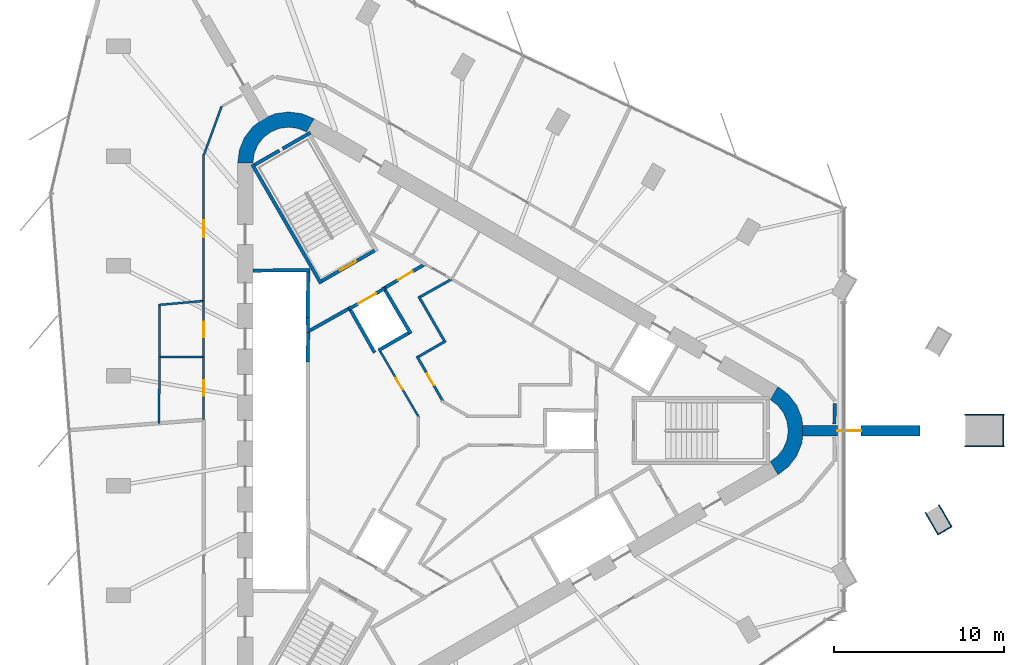
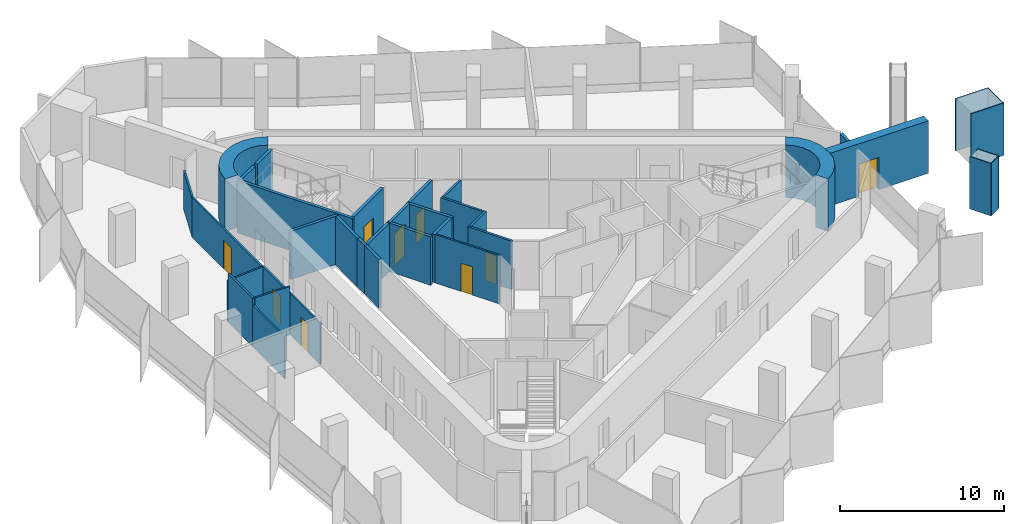
# One storey, part 9 of 12: 37 walls, 9 doors, 9 openings.
"""IFC4 building model written with IfcOpenShell, lengths in metres."""

from ifc_helpers import new_model, si_unit, direction, frame, frame_2d, origin, place, context, subcontext, project, spatial, polyline, rectangle, outline, extrude, material, layer, layer_set, type_object, element, fill, save


model = new_model("IFC4")

# Units and contexts
model_context = context("Model", 3, precision=1e-05, world=origin(), true_north=direction((0.0, 1.0)))
body_context = subcontext(model_context, "Body", "Model", "MODEL_VIEW")
ifc_project = project(units=[si_unit("LENGTHUNIT", "METRE"), si_unit("AREAUNIT", "SQUARE_METRE"), si_unit("VOLUMEUNIT", "CUBIC_METRE"), si_unit("PLANEANGLEUNIT", "RADIAN"), si_unit("MASSUNIT", "GRAM", prefix="KILO")], contexts=[model_context])

# Site, building, storey
site_placement = place(None, origin())
site = spatial("IfcSite", under=ifc_project, at=site_placement, CompositionType="ELEMENT")
building_placement = place(site_placement, origin())
building = spatial("IfcBuilding", under=site, at=building_placement, Name="Tanit Gate Tower", CompositionType="ELEMENT")
storey_placement = place(building_placement, frame((0.0, 0.0, 372.800048828125)))
storey = spatial("IfcBuildingStorey", under=building, at=storey_placement, Name="L85", CompositionType="ELEMENT", Elevation=372.800048828125)

# Wall, opening, door
ifc_material_1 = material(Name="Concrete C40/50", Category="concrete")
ifc_layer_1 = layer(ifc_material_1, 0.60009765625)
ifc_layer_set_1 = layer_set([ifc_layer_1], Name="BUTTRESS FIN 600 C40/50")
wall_type_1 = type_object("IfcWallType", Name="BUTTRESS FIN 600 C40/50", PredefinedType="SHEAR", material=ifc_layer_set_1)
wall_1_placement = place(storey_placement, frame((21.14990234375, 0.0, 0.0), z_axis=(0.0, 0.0, 1.0), x_axis=(1.0, 0.0, 0.0)))
wall_1 = element("IfcWall", 1, at=wall_1_placement, inside=storey, type_object=wall_type_1, Name="BUTTRESS FIN", PredefinedType="SHEAR", context=body_context, shape_type="SweptSolid", body=[
    extrude(rectangle(XDim=6.92138671875, YDim=0.60009765625, at=frame_2d((3.460693359375, 0.0))), origin(), (0.0, 0.0, 1.0), 3.89990234375),
])
opening_1_placement = place(wall_1_placement, frame((2.050048828125, 0.0, 0.0)))
opening_1 = element("IfcOpeningElement", 2, at=opening_1_placement, cuts=wall_1, Name="Opening P14-85-F-E-1", PredefinedType="OPENING", context=body_context, shape_type="SweptSolid", body=[
    extrude(rectangle(XDim=1.39990234375, YDim=2.39990234375, at=frame_2d((0.699951171875, 1.199951171875))), frame((0.0, 0.31005859375, 0.0), z_axis=(0.0, -1.0, 0.0), x_axis=(1.0, 0.0, 0.0)), (0.0, 0.0, 1.0), 0.6201171875),
])
ifc_material_2 = material(Name="Timber door leaf", Category="wood")
door_type_1 = type_object("IfcDoorType", Name="INT-DOOR-FIN-PAIR-1400", OperationType="NOTDEFINED", PredefinedType="NOTDEFINED", material=ifc_material_2)
door_1_placement = place(opening_1_placement, origin())
door_1 = element("IfcDoor", 3, at=door_1_placement, inside=storey, type_object=door_type_1, Name="Door P14-85-F-E-1", OperationType="DOUBLE_DOOR_SINGLE_SWING", OverallHeight=2.39990234375, OverallWidth=1.39990234375, PredefinedType="NOTDEFINED", context=body_context, shape_type="SweptSolid", body=[
    extrude(rectangle(XDim=1.39990234375, YDim=2.39990234375, at=frame_2d((0.699951171875, 1.199951171875))), frame((0.0, 0.02490234375, 0.0), z_axis=(0.0, -1.0, 0.0), x_axis=(1.0, 0.0, 0.0)), (0.0, 0.0, 1.0), 0.050048828125),
])
fill(opening_1, door_1)

# Walls
ifc_material_3 = material(Name="Concrete C40/50", Category="concrete")
ifc_layer_2 = layer(ifc_material_3, 0.89990234375)
ifc_layer_set_2 = layer_set([ifc_layer_2], Name="CORE WALL 900 C40/50")
wall_type_2 = type_object("IfcWallType", Name="CORE WALL 900 C40/50", PredefinedType="SHEAR", material=ifc_layer_set_2)
wall_2_placement = place(storey_placement, origin())
element("IfcWall", 4, at=wall_2_placement, inside=storey, type_object=wall_type_2, Name="CORE WALL CORNER", PredefinedType="SHEAR", context=body_context, shape_type="SweptSolid", body=[
    extrude(outline(polyline([(-7.60009765625, 18.359619140625), (-8.323486328125, 18.659423828125), (-9.10009765625, 18.76171875), (-9.87646484375, 18.659423828125), (-10.60009765625, 18.359619140625), (-11.22119140625, 17.883056640625), (-11.697998046875, 17.26171875), (-11.997802734375, 16.5380859375), (-12.10009765625, 15.76171875), (-11.199951171875, 15.76171875), (-11.12841796875, 16.30517578125), (-10.918701171875, 16.811767578125), (-10.5849609375, 17.24658203125), (-10.14990234375, 17.580322265625), (-9.6435546875, 17.7900390625), (-9.10009765625, 17.86181640625), (-8.556396484375, 17.7900390625), (-8.050048828125, 17.580322265625), (-7.60009765625, 18.359619140625)])), origin(), (0.0, 0.0, 1.0), 3.89990234375),
])
wall_3_placement = place(storey_placement, origin())
element("IfcWall", 5, at=wall_3_placement, inside=storey, type_object=wall_type_2, Name="CORE WALL CORNER", PredefinedType="SHEAR", context=body_context, shape_type="SweptSolid", body=[
    extrude(outline(polyline([(19.699951171875, -2.59814453125), (20.3212890625, -2.121337890625), (20.798095703125, -1.5), (21.097900390625, -0.776611328125), (21.199951171875, 0.0), (21.097900390625, 0.776611328125), (20.798095703125, 1.5), (20.3212890625, 2.121337890625), (19.699951171875, 2.59814453125), (19.25, 1.818603515625), (19.684814453125, 1.48486328125), (20.018798828125, 1.050048828125), (20.228515625, 0.54345703125), (20.300048828125, 0.0), (20.228515625, -0.54345703125), (20.018798828125, -1.050048828125), (19.684814453125, -1.48486328125), (19.25, -1.818603515625), (19.699951171875, -2.59814453125)])), origin(), (0.0, 0.0, 1.0), 3.89990234375),
])
ifc_material_4 = material(Name="Bronze anodised aluminium cladding", Category="aluminium")
ifc_layer_3 = layer(ifc_material_4, 0.06005859375)
ifc_layer_set_3 = layer_set([ifc_layer_3], Name="Column casing bronze 60")
wall_type_3 = type_object("IfcWallType", Name="Column casing bronze 60", PredefinedType="SOLIDWALL", material=ifc_layer_set_3)
for number, where, z_axis, x_axis, name in (
    (6, (30.68359375, 0.929931640625, 0.0), (0.0, 0.0, 1.0), (1.0, 0.0, 0.0), "Column casing L85 M-E.L1"),
    (7, (30.68359375, -0.929931640625, 0.0), (0.0, 0.0, 1.0), (1.0, 0.0, 0.0), "Column casing L85 M-E.L2"),
):
    element("IfcWall", number, at=place(storey_placement, frame(where, z_axis=z_axis, x_axis=x_axis)), inside=storey, type_object=wall_type_3, Name=name, PredefinedType="SOLIDWALL", context=body_context, shape_type="SweptSolid", body=[
        extrude(rectangle(XDim=2.320068359375, YDim=0.06005859375, at=frame_2d((1.16015625, 0.0))), origin(), (0.0, 0.0, 1.0), 3.89990234375),
    ])
wall_4_placement = place(storey_placement, frame((32.9736328125, -0.89990234375, 0.0), z_axis=(0.0, 0.0, 1.0), x_axis=(0.0, 1.0, 0.0)))
element("IfcWall", 8, at=wall_4_placement, inside=storey, type_object=wall_type_3, Name="Column casing L85 M-E.S1", PredefinedType="SOLIDWALL", context=body_context, shape_type="SweptSolid", body=[
    extrude(rectangle(XDim=1.7998046875, YDim=0.06005859375, at=frame_2d((0.89990234375, 0.0))), origin(), (0.0, 0.0, 1.0), 3.89990234375),
])
wall_5_placement = place(storey_placement, frame((29.16650390625, -4.36083984375, 0.0), z_axis=(0.0, 0.0, 1.0), x_axis=(0.499991248344, -0.866030456496, 0.0)))
element("IfcWall", 9, at=wall_5_placement, inside=storey, type_object=wall_type_3, Name="Column casing L85 P-SE8.L1", PredefinedType="SOLIDWALL", context=body_context, shape_type="SweptSolid", body=[
    extrude(rectangle(XDim=1.52001953125, YDim=0.06005859375, at=frame_2d((0.760009765625, 0.0))), origin(), (0.0, 0.0, 1.0), 3.89990234375),
])
wall_6_placement = place(storey_placement, frame((28.378662109375, -4.81591796875, 0.0), z_axis=(0.0, 0.0, 1.0), x_axis=(0.500060803479, -0.865990296034, 0.0)))
element("IfcWall", 10, at=wall_6_placement, inside=storey, type_object=wall_type_3, Name="Column casing L85 P-SE8.L2", PredefinedType="SOLIDWALL", context=body_context, shape_type="SweptSolid", body=[
    extrude(rectangle(XDim=1.519775390625, YDim=0.06005859375, at=frame_2d((0.759765625, 0.0))), origin(), (0.0, 0.0, 1.0), 3.89990234375),
])
wall_7_placement = place(storey_placement, frame((29.1494140625, -6.09130859375, 0.0), z_axis=(0.0, 0.0, 1.0), x_axis=(0.866061263272, 0.499937884402, 0.0)))
element("IfcWall", 11, at=wall_7_placement, inside=storey, type_object=wall_type_3, Name="Column casing L85 P-SE8.S1", PredefinedType="SOLIDWALL", context=body_context, shape_type="SweptSolid", body=[
    extrude(rectangle(XDim=0.85009765625, YDim=0.06005859375, at=frame_2d((0.425048828125, 0.0))), origin(), (0.0, 0.0, 1.0), 3.89990234375),
])
ifc_material_5 = material(Name="Fire-rated gypsum board partition")
ifc_layer_4 = layer(ifc_material_5, 0.199951171875)
ifc_layer_set_4 = layer_set([ifc_layer_4], Name="INT-WALL-COMPARTMENT")
wall_type_4 = type_object("IfcWallType", Name="INT-WALL-COMPARTMENT", PredefinedType="PARTITIONING", material=ifc_layer_set_4)
wall_8_placement = place(storey_placement, frame((-5.600341796875, 7.16015625, 0.0), z_axis=(0.0, 0.0, 1.0), x_axis=(-0.871340486379, -0.490678873396, 0.0)))
element("IfcWall", 12, at=wall_8_placement, inside=storey, type_object=wall_type_4, Name="Wall Compartment W069", PredefinedType="PARTITIONING", context=body_context, shape_type="SweptSolid", body=[
    extrude(rectangle(XDim=2.580810546875, YDim=0.199951171875, at=frame_2d((1.29052734375, 0.0))), origin(), (0.0, 0.0, 1.0), 3.599853515625),
])

# Wall, opening, door
wall_9_placement = place(storey_placement, frame((-1.070068359375, 9.809326171875, 0.0), z_axis=(0.0, 0.0, 1.0), x_axis=(-0.860603293832, -0.509275927808, 0.0)))
wall_9 = element("IfcWall", 13, at=wall_9_placement, inside=storey, type_object=wall_type_4, Name="Wall Compartment W070", PredefinedType="PARTITIONING", context=body_context, shape_type="SweptSolid", body=[
    extrude(rectangle(XDim=2.7080078125, YDim=0.199951171875, at=frame_2d((1.35400390625, 0.0))), origin(), (0.0, 0.0, 1.0), 3.599853515625),
])
opening_2_placement = place(wall_9_placement, frame((0.859619140625, 0.0, 0.0)))
opening_2 = element("IfcOpeningElement", 14, at=opening_2_placement, cuts=wall_9, Name="Opening F10-85-05", PredefinedType="OPENING", context=body_context, shape_type="SweptSolid", body=[
    extrude(rectangle(XDim=1.0, YDim=2.10009765625, at=frame_2d((0.5, 1.050048828125))), frame((0.0, 0.10986328125, 0.0), z_axis=(0.0, -1.0, 0.0), x_axis=(1.0, 0.0, 0.0)), (0.0, 0.0, 1.0), 0.219970703125),
])
ifc_material_6 = material(Name="Fire-rated steel door leaf", Category="steel")
door_type_2 = type_object("IfcDoorType", Name="INT-DOOR-FIRE-1000", OperationType="NOTDEFINED", PredefinedType="USERDEFINED", material=ifc_material_6)
door_2_placement = place(opening_2_placement, origin())
door_2 = element("IfcDoor", 15, at=door_2_placement, inside=storey, type_object=door_type_2, Name="Door F10-85-05", ObjectType="FIRE DOOR", OperationType="SINGLE_SWING_LEFT", OverallHeight=2.10009765625, OverallWidth=1.0, PredefinedType="USERDEFINED", context=body_context, shape_type="SweptSolid", body=[
    extrude(rectangle(XDim=1.0, YDim=2.10009765625, at=frame_2d((0.5, 1.050048828125))), frame((0.0, 0.02490234375, 0.0), z_axis=(0.0, -1.0, 0.0), x_axis=(1.0, 0.0, 0.0)), (0.0, 0.0, 1.0), 0.050048828125),
])
fill(opening_2, door_2)

# Wall
wall_10_placement = place(storey_placement, frame((23.02294921875, 0.39990234375, 0.0), z_axis=(0.0, 0.0, 1.0), x_axis=(0.017127676622, 0.999853310588, 0.0)))
element("IfcWall", 16, at=wall_10_placement, inside=storey, type_object=wall_type_4, Name="Wall Compartment W112", PredefinedType="PARTITIONING", context=body_context, shape_type="SweptSolid", body=[
    extrude(rectangle(XDim=1.211669921875, YDim=0.199951171875, at=frame_2d((0.60595703125, 0.0))), origin(), (0.0, 0.0, 1.0), 3.599853515625),
])

# Wall, opening, door
ifc_material_7 = material(Name="Gypsum board partition")
ifc_layer_5 = layer(ifc_material_7, 0.1201171875)
ifc_layer_set_5 = layer_set([ifc_layer_5], Name="INT-WALL-PARTITION")
wall_type_5 = type_object("IfcWallType", Name="INT-WALL-PARTITION", PredefinedType="PARTITIONING", material=ifc_layer_set_5)
wall_11_placement = place(storey_placement, frame((-1.42041015625, 0.76171875, 0.0), z_axis=(0.0, 0.0, 1.0), x_axis=(-0.505655878767, 0.862735261983, 0.0)))
wall_11 = element("IfcWall", 17, at=wall_11_placement, inside=storey, type_object=wall_type_5, Name="Wall Partition W073", PredefinedType="PARTITIONING", context=body_context, shape_type="SweptSolid", body=[
    extrude(rectangle(XDim=4.5302734375, YDim=0.1201171875, at=frame_2d((2.26513671875, 0.0))), origin(), (0.0, 0.0, 1.0), 3.599853515625),
])
opening_3_placement = place(wall_11_placement, frame((1.916259765625, 0.0, 0.0)))
opening_3 = element("IfcOpeningElement", 18, at=opening_3_placement, cuts=wall_11, Name="Opening R08-85-10", PredefinedType="OPENING", context=body_context, shape_type="SweptSolid", body=[
    extrude(rectangle(XDim=0.800048828125, YDim=2.10009765625, at=frame_2d((0.39990234375, 1.050048828125))), frame((0.0, 0.070068359375, 0.0), z_axis=(0.0, -1.0, 0.0), x_axis=(1.0, 0.0, 0.0)), (0.0, 0.0, 1.0), 0.14013671875),
])
ifc_material_8 = material(Name="Timber door leaf", Category="wood")
door_type_3 = type_object("IfcDoorType", Name="INT-DOOR-RISER-800", OperationType="NOTDEFINED", PredefinedType="USERDEFINED", material=ifc_material_8)
door_3_placement = place(opening_3_placement, origin())
door_3 = element("IfcDoor", 19, at=door_3_placement, inside=storey, type_object=door_type_3, Name="Door R08-85-10", ObjectType="FIRE DOOR", OperationType="SINGLE_SWING_RIGHT", OverallHeight=2.10009765625, OverallWidth=0.800048828125, PredefinedType="USERDEFINED", context=body_context, shape_type="SweptSolid", body=[
    extrude(rectangle(XDim=0.800048828125, YDim=2.10009765625, at=frame_2d((0.39990234375, 1.050048828125))), frame((0.0, 0.02490234375, 0.0), z_axis=(0.0, -1.0, 0.0), x_axis=(1.0, 0.0, 0.0)), (0.0, 0.0, 1.0), 0.050048828125),
])
fill(opening_3, door_3)

wall_12_placement = place(storey_placement, frame((-14.10009765625, 16.253662109375, 0.0), z_axis=(0.0, 0.0, 1.0), x_axis=(0.0, -1.0, 0.0)))
wall_12 = element("IfcWall", 20, at=wall_12_placement, inside=storey, type_object=wall_type_5, Name="Wall Partition W092", PredefinedType="PARTITIONING", context=body_context, shape_type="SweptSolid", body=[
    extrude(rectangle(XDim=8.613525390625, YDim=0.1201171875, at=frame_2d((4.306640625, 0.0))), origin(), (0.0, 0.0, 1.0), 2.969970703125),
])
opening_4_placement = place(wall_12_placement, frame((3.860107421875, 0.0, 0.0)))
opening_4 = element("IfcOpeningElement", 21, at=opening_4_placement, cuts=wall_12, Name="Opening D10-85-21", PredefinedType="OPENING", context=body_context, shape_type="SweptSolid", body=[
    extrude(rectangle(XDim=1.0, YDim=2.10009765625, at=frame_2d((0.5, 1.050048828125))), frame((0.0, 0.070068359375, 0.0), z_axis=(0.0, -1.0, 0.0), x_axis=(1.0, 0.0, 0.0)), (0.0, 0.0, 1.0), 0.14013671875),
])
ifc_material_9 = material(Name="Timber door leaf", Category="wood")
door_type_4 = type_object("IfcDoorType", Name="INT-DOOR-SINGLE-1000", OperationType="NOTDEFINED", PredefinedType="NOTDEFINED", material=ifc_material_9)
door_4_placement = place(opening_4_placement, origin())
door_4 = element("IfcDoor", 22, at=door_4_placement, inside=storey, type_object=door_type_4, Name="Door D10-85-21", OperationType="SINGLE_SWING_RIGHT", OverallHeight=2.10009765625, OverallWidth=1.0, PredefinedType="NOTDEFINED", context=body_context, shape_type="SweptSolid", body=[
    extrude(rectangle(XDim=1.0, YDim=2.10009765625, at=frame_2d((0.5, 1.050048828125))), frame((0.0, 0.02490234375, 0.0), z_axis=(0.0, -1.0, 0.0), x_axis=(1.0, 0.0, 0.0)), (0.0, 0.0, 1.0), 0.050048828125),
])
fill(opening_4, door_4)

wall_13_placement = place(storey_placement, frame((-14.10009765625, 7.64013671875, 0.0), z_axis=(0.0, 0.0, 1.0), x_axis=(0.0, -1.0, 0.0)))
wall_13 = element("IfcWall", 23, at=wall_13_placement, inside=storey, type_object=wall_type_5, Name="Wall Partition W096", PredefinedType="PARTITIONING", context=body_context, shape_type="SweptSolid", body=[
    extrude(rectangle(XDim=3.30126953125, YDim=0.1201171875, at=frame_2d((1.650634765625, 0.0))), origin(), (0.0, 0.0, 1.0), 3.070068359375),
])
opening_5_placement = place(wall_13_placement, frame((1.235107421875, 0.0, 0.0)))
opening_5 = element("IfcOpeningElement", 24, at=opening_5_placement, cuts=wall_13, Name="Opening D09-85-23", PredefinedType="OPENING", context=body_context, shape_type="SweptSolid", body=[
    extrude(rectangle(XDim=0.89990234375, YDim=2.10009765625, at=frame_2d((0.449951171875, 1.050048828125))), frame((0.0, 0.070068359375, 0.0), z_axis=(0.0, -1.0, 0.0), x_axis=(1.0, 0.0, 0.0)), (0.0, 0.0, 1.0), 0.14013671875),
])
ifc_material_10 = material(Name="Timber door leaf", Category="wood")
door_type_5 = type_object("IfcDoorType", Name="INT-DOOR-SINGLE-900", OperationType="NOTDEFINED", PredefinedType="NOTDEFINED", material=ifc_material_10)
door_5_placement = place(opening_5_placement, origin())
door_5 = element("IfcDoor", 25, at=door_5_placement, inside=storey, type_object=door_type_5, Name="Door D09-85-23", OperationType="SINGLE_SWING_RIGHT", OverallHeight=2.10009765625, OverallWidth=0.89990234375, PredefinedType="NOTDEFINED", context=body_context, shape_type="SweptSolid", body=[
    extrude(rectangle(XDim=0.89990234375, YDim=2.10009765625, at=frame_2d((0.449951171875, 1.050048828125))), frame((0.0, 0.02490234375, 0.0), z_axis=(0.0, -1.0, 0.0), x_axis=(1.0, 0.0, 0.0)), (0.0, 0.0, 1.0), 0.050048828125),
])
fill(opening_5, door_5)

wall_14_placement = place(storey_placement, frame((-14.10009765625, 4.3388671875, 0.0), z_axis=(0.0, 0.0, 1.0), x_axis=(0.0, -1.0, 0.0)))
wall_14 = element("IfcWall", 26, at=wall_14_placement, inside=storey, type_object=wall_type_5, Name="Wall Partition W095", PredefinedType="PARTITIONING", context=body_context, shape_type="SweptSolid", body=[
    extrude(rectangle(XDim=3.67138671875, YDim=0.1201171875, at=frame_2d((1.835693359375, 0.0))), origin(), (0.0, 0.0, 1.0), 3.070068359375),
])
opening_6_placement = place(wall_14_placement, frame((1.3701171875, 0.0, 0.0)))
opening_6 = element("IfcOpeningElement", 27, at=opening_6_placement, cuts=wall_14, Name="Opening D09-85-22", PredefinedType="OPENING", context=body_context, shape_type="SweptSolid", body=[
    extrude(rectangle(XDim=0.89990234375, YDim=2.10009765625, at=frame_2d((0.449951171875, 1.050048828125))), frame((0.0, 0.070068359375, 0.0), z_axis=(0.0, -1.0, 0.0), x_axis=(1.0, 0.0, 0.0)), (0.0, 0.0, 1.0), 0.14013671875),
])
door_6_placement = place(opening_6_placement, origin())
door_6 = element("IfcDoor", 28, at=door_6_placement, inside=storey, type_object=door_type_5, Name="Door D09-85-22", OperationType="SINGLE_SWING_LEFT", OverallHeight=2.10009765625, OverallWidth=0.89990234375, PredefinedType="NOTDEFINED", context=body_context, shape_type="SweptSolid", body=[
    extrude(rectangle(XDim=0.89990234375, YDim=2.10009765625, at=frame_2d((0.449951171875, 1.050048828125))), frame((0.0, 0.02490234375, 0.0), z_axis=(0.0, -1.0, 0.0), x_axis=(1.0, 0.0, 0.0)), (0.0, 0.0, 1.0), 0.050048828125),
])
fill(opening_6, door_6)

# Walls
wall_15_placement = place(storey_placement, frame((-13.04296875, 19.09765625, 0.0), z_axis=(0.0, 0.0, 1.0), x_axis=(-0.342066467141, -0.939675759003, 0.0)))
element("IfcWall", 29, at=wall_15_placement, inside=storey, type_object=wall_type_5, Name="Wall Partition W093", PredefinedType="PARTITIONING", context=body_context, shape_type="SweptSolid", body=[
    extrude(rectangle(XDim=3.030517578125, YDim=0.1201171875, at=frame_2d((1.51513671875, 0.0))), origin(), (0.0, 0.0, 1.0), 2.8798828125),
])
wall_16_placement = place(storey_placement, frame((-16.72998046875, 0.408447265625, 0.0), z_axis=(0.0, 0.0, 1.0), x_axis=(0.007515782501, 0.999971756108, 0.0)))
element("IfcWall", 30, at=wall_16_placement, inside=storey, type_object=wall_type_5, Name="Wall Partition W100", PredefinedType="PARTITIONING", context=body_context, shape_type="SweptSolid", body=[
    extrude(rectangle(XDim=3.930419921875, YDim=0.1201171875, at=frame_2d((1.96533203125, 0.0))), origin(), (0.0, 0.0, 1.0), 3.070068359375),
])
wall_17_placement = place(storey_placement, frame((-16.754638671875, 7.39990234375, 0.0), z_axis=(0.0, 0.0, 1.0), x_axis=(0.996028805924, 0.089031554914, 0.0)))
element("IfcWall", 31, at=wall_17_placement, inside=storey, type_object=wall_type_5, Name="Wall Partition W101", PredefinedType="PARTITIONING", context=body_context, shape_type="SweptSolid", body=[
    extrude(rectangle(XDim=2.60498046875, YDim=0.1201171875, at=frame_2d((1.302490234375, 0.0))), origin(), (0.0, 0.0, 1.0), 3.070068359375),
])
wall_18_placement = place(storey_placement, frame((-16.699951171875, 4.3388671875, 0.0), z_axis=(0.0, 0.0, 1.0), x_axis=(0.0, 1.0, 0.0)))
element("IfcWall", 32, at=wall_18_placement, inside=storey, type_object=wall_type_5, Name="Wall Partition W102", PredefinedType="PARTITIONING", context=body_context, shape_type="SweptSolid", body=[
    extrude(rectangle(XDim=3.005615234375, YDim=0.1201171875, at=frame_2d((1.5029296875, 0.0))), origin(), (0.0, 0.0, 1.0), 3.599853515625),
])
wall_19_placement = place(storey_placement, frame((-14.159912109375, 4.3388671875, 0.0), z_axis=(0.0, 0.0, 1.0), x_axis=(-1.0, 0.0, 0.0)))
element("IfcWall", 33, at=wall_19_placement, inside=storey, type_object=wall_type_5, Name="Wall Partition W106", PredefinedType="PARTITIONING", context=body_context, shape_type="SweptSolid", body=[
    extrude(rectangle(XDim=2.47998046875, YDim=0.1201171875, at=frame_2d((1.239990234375, 0.0))), origin(), (0.0, 0.0, 1.0), 3.599853515625),
])

# Wall, opening, door
ifc_material_11 = material(Name="Fire-rated gypsum board partition")
ifc_layer_6 = layer(ifc_material_11, 0.14990234375)
ifc_layer_set_6 = layer_set([ifc_layer_6], Name="INT-WALL-RISER")
wall_type_6 = type_object("IfcWallType", Name="INT-WALL-RISER", PredefinedType="PLUMBINGWALL", material=ifc_layer_set_6)
wall_20_placement = place(storey_placement, frame((-1.55126953125, 4.386962890625, 0.0), z_axis=(0.0, 0.0, 1.0), x_axis=(0.499976393034, -0.866039032844, 0.0)))
wall_20 = element("IfcWall", 34, at=wall_20_placement, inside=storey, type_object=wall_type_6, Name="Wall Riser W088", PredefinedType="PLUMBINGWALL", context=body_context, shape_type="SweptSolid", body=[
    extrude(rectangle(XDim=3.079345703125, YDim=0.14990234375, at=frame_2d((1.53955078125, 0.0))), origin(), (0.0, 0.0, 1.0), 3.599853515625),
])
opening_7_placement = place(wall_20_placement, frame((1.17724609375, 0.0, 0.0)))
opening_7 = element("IfcOpeningElement", 35, at=opening_7_placement, cuts=wall_20, Name="Opening R08-85-13", PredefinedType="OPENING", context=body_context, shape_type="SweptSolid", body=[
    extrude(rectangle(XDim=0.800048828125, YDim=2.10009765625, at=frame_2d((0.39990234375, 1.050048828125))), frame((0.0, 0.0849609375, 0.0), z_axis=(0.0, -1.0, 0.0), x_axis=(1.0, 0.0, 0.0)), (0.0, 0.0, 1.0), 0.169921875),
])
door_7_placement = place(opening_7_placement, origin())
door_7 = element("IfcDoor", 36, at=door_7_placement, inside=storey, type_object=door_type_3, Name="Door R08-85-13", ObjectType="FIRE DOOR", OperationType="SINGLE_SWING_LEFT", OverallHeight=2.10009765625, OverallWidth=0.800048828125, PredefinedType="USERDEFINED", context=body_context, shape_type="SweptSolid", body=[
    extrude(rectangle(XDim=0.800048828125, YDim=2.10009765625, at=frame_2d((0.39990234375, 1.050048828125))), frame((0.0, 0.02490234375, 0.0), z_axis=(0.0, -1.0, 0.0), x_axis=(1.0, 0.0, 0.0)), (0.0, 0.0, 1.0), 0.050048828125),
])
fill(opening_7, door_7)

# Walls
wall_21_placement = place(storey_placement, frame((0.1533203125, 5.28466796875, 0.0), z_axis=(0.0, 0.0, 1.0), x_axis=(-0.866033964044, -0.499985172903, 0.0)))
element("IfcWall", 37, at=wall_21_placement, inside=storey, type_object=wall_type_6, Name="Wall Riser W089", PredefinedType="PLUMBINGWALL", context=body_context, shape_type="SweptSolid", body=[
    extrude(rectangle(XDim=1.85009765625, YDim=0.14990234375, at=frame_2d((0.925048828125, 0.0))), origin(), (0.0, 0.0, 1.0), 3.599853515625),
])
wall_22_placement = place(storey_placement, frame((-1.44921875, 7.91015625, 0.0), z_axis=(0.0, 0.0, 1.0), x_axis=(0.499990139034, -0.866031096941, 0.0)))
element("IfcWall", 38, at=wall_22_placement, inside=storey, type_object=wall_type_6, Name="Wall Riser W090", PredefinedType="PLUMBINGWALL", context=body_context, shape_type="SweptSolid", body=[
    extrude(rectangle(XDim=3.0, YDim=0.14990234375, at=frame_2d((1.5, 0.0))), origin(), (0.0, 0.0, 1.0), 3.599853515625),
])
wall_23_placement = place(storey_placement, frame((0.475341796875, 8.9052734375, 0.0), z_axis=(0.0, 0.0, 1.0), x_axis=(-0.871843752163, -0.489784107353, 0.0)))
element("IfcWall", 39, at=wall_23_placement, inside=storey, type_object=wall_type_6, Name="Wall Riser W091", PredefinedType="PLUMBINGWALL", context=body_context, shape_type="SweptSolid", body=[
    extrude(rectangle(XDim=2.089599609375, YDim=0.14990234375, at=frame_2d((1.044921875, 0.0))), origin(), (0.0, 0.0, 1.0), 3.599853515625),
])
ifc_material_12 = material(Name="Gypsum shaft wall system")
ifc_layer_7 = layer(ifc_material_12, 0.199951171875)
ifc_layer_set_7 = layer_set([ifc_layer_7], Name="INT-WALL-SHAFT")
wall_type_7 = type_object("IfcWallType", Name="INT-WALL-SHAFT", PredefinedType="PLUMBINGWALL", material=ifc_layer_set_7)
wall_24_placement = place(storey_placement, frame((-11.199951171875, 9.419921875, 0.0), z_axis=(0.0, 0.0, 1.0), x_axis=(0.999957167047, 0.009255488683, 0.0)))
element("IfcWall", 40, at=wall_24_placement, inside=storey, type_object=wall_type_7, Name="Wall Shaft W001", PredefinedType="PLUMBINGWALL", context=body_context, shape_type="SweptSolid", body=[
    extrude(rectangle(XDim=3.35009765625, YDim=0.199951171875, at=frame_2d((1.675048828125, 0.0))), origin(), (0.0, 0.0, 1.0), 3.599853515625),
])
wall_25_placement = place(storey_placement, frame((-7.951171875, 9.35009765625, 0.0), z_axis=(0.0, 0.0, 1.0), x_axis=(-0.011120469654, -0.999938165666, 0.0)))
element("IfcWall", 41, at=wall_25_placement, inside=storey, type_object=wall_type_7, Name="Wall Shaft W002", PredefinedType="PLUMBINGWALL", context=body_context, shape_type="SweptSolid", body=[
    extrude(rectangle(XDim=2.700439453125, YDim=0.199951171875, at=frame_2d((1.35009765625, 0.0))), origin(), (0.0, 0.0, 1.0), 3.599853515625),
])
wall_26_placement = place(storey_placement, frame((-7.97705078125, 6.650146484375, 0.0), z_axis=(0.0, 0.0, 1.0), x_axis=(0.030861509705, -0.999523670164, 0.0)))
element("IfcWall", 42, at=wall_26_placement, inside=storey, type_object=wall_type_7, Name="Wall Shaft W003", PredefinedType="PLUMBINGWALL", context=body_context, shape_type="SweptSolid", body=[
    extrude(rectangle(XDim=0.878173828125, YDim=0.199951171875, at=frame_2d((0.43896484375, 0.0))), origin(), (0.0, 0.0, 1.0), 3.599853515625),
])
wall_27_placement = place(storey_placement, frame((-7.948974609375, 5.894287109375, 0.0), z_axis=(0.0, 0.0, 1.0), x_axis=(-0.016809909365, -0.999858703491, 0.0)))
element("IfcWall", 43, at=wall_27_placement, inside=storey, type_object=wall_type_7, Name="Wall Shaft W004", PredefinedType="PLUMBINGWALL", context=body_context, shape_type="SweptSolid", body=[
    extrude(rectangle(XDim=1.844482421875, YDim=0.199951171875, at=frame_2d((0.92236328125, 0.0))), origin(), (0.0, 0.0, 1.0), 3.599853515625),
])

# Wall, opening, door
wall_28_placement = place(storey_placement, frame((-5.524169921875, 7.168212890625, 0.0), z_axis=(0.0, 0.0, 1.0), x_axis=(0.866024647952, 0.500001309137, 0.0)))
wall_28 = element("IfcWall", 44, at=wall_28_placement, inside=storey, type_object=wall_type_7, Name="Wall Shaft W035", PredefinedType="PLUMBINGWALL", context=body_context, shape_type="SweptSolid", body=[
    extrude(rectangle(XDim=2.39990234375, YDim=0.199951171875, at=frame_2d((1.199951171875, 0.0))), origin(), (0.0, 0.0, 1.0), 3.599853515625),
])
opening_8_placement = place(wall_28_placement, frame((0.60009765625, 0.0, 0.0)))
opening_8 = element("IfcOpeningElement", 45, at=opening_8_placement, cuts=wall_28, Name="Opening LDFL2-L85", PredefinedType="OPENING", context=body_context, shape_type="SweptSolid", body=[
    extrude(rectangle(XDim=1.199951171875, YDim=2.39990234375, at=frame_2d((0.60009765625, 1.199951171875))), frame((0.0, 0.10986328125, 0.0), z_axis=(0.0, -1.0, 0.0), x_axis=(1.0, 0.0, 0.0)), (0.0, 0.0, 1.0), 0.219970703125),
])
ifc_material_13 = material(Name="Stainless steel sliding door leaf", Category="steel")
door_type_6 = type_object("IfcDoorType", Name="INT-DOOR-LANDING-1200", OperationType="NOTDEFINED", PredefinedType="USERDEFINED", material=ifc_material_13)
door_8_placement = place(opening_8_placement, origin())
door_8 = element("IfcDoor", 46, at=door_8_placement, inside=storey, type_object=door_type_6, Name="Door LDFL2-L85", ObjectType="LANDING DOOR", OperationType="SLIDING_TO_LEFT", OverallHeight=2.39990234375, OverallWidth=1.199951171875, PredefinedType="USERDEFINED", context=body_context, shape_type="SweptSolid", body=[
    extrude(rectangle(XDim=1.199951171875, YDim=2.39990234375, at=frame_2d((0.60009765625, 1.199951171875))), frame((0.0, 0.02490234375, 0.0), z_axis=(0.0, -1.0, 0.0), x_axis=(1.0, 0.0, 0.0)), (0.0, 0.0, 1.0), 0.050048828125),
])
fill(opening_8, door_8)

# Walls
wall_29_placement = place(storey_placement, frame((-4.039306640625, 4.59619140625, 0.0), z_axis=(0.0, 0.0, 1.0), x_axis=(-0.491322718731, 0.870977603649, 0.0)))
element("IfcWall", 47, at=wall_29_placement, inside=storey, type_object=wall_type_7, Name="Wall Shaft W036", PredefinedType="PLUMBINGWALL", context=body_context, shape_type="SweptSolid", body=[
    extrude(rectangle(XDim=3.10009765625, YDim=0.199951171875, at=frame_2d((1.550048828125, 0.0))), origin(), (0.0, 0.0, 1.0), 3.599853515625),
])
wall_30_placement = place(storey_placement, frame((-3.53759765625, 8.46533203125, 0.0), z_axis=(0.0, 0.0, 1.0), x_axis=(0.508616218331, -0.860993346345, 0.0)))
element("IfcWall", 48, at=wall_30_placement, inside=storey, type_object=wall_type_7, Name="Wall Shaft W037", PredefinedType="PLUMBINGWALL", context=body_context, shape_type="SweptSolid", body=[
    extrude(rectangle(XDim=3.2001953125, YDim=0.199951171875, at=frame_2d((1.60009765625, 0.0))), origin(), (0.0, 0.0, 1.0), 3.599853515625),
])
wall_31_placement = place(storey_placement, frame((-2.04736328125, 5.74609375, 0.0), z_axis=(0.0, 0.0, 1.0), x_axis=(-0.866032100247, -0.499988401207, 0.0)))
element("IfcWall", 49, at=wall_31_placement, inside=storey, type_object=wall_type_7, Name="Wall Shaft W038", PredefinedType="PLUMBINGWALL", context=body_context, shape_type="SweptSolid", body=[
    extrude(rectangle(XDim=2.03955078125, YDim=0.199951171875, at=frame_2d((1.019775390625, 0.0))), origin(), (0.0, 0.0, 1.0), 3.599853515625),
])
ifc_material_14 = material(Name="Concrete C40/50", Category="concrete")
ifc_layer_8 = layer(ifc_material_14, 0.199951171875)
ifc_layer_set_8 = layer_set([ifc_layer_8], Name="INT-WALL-STAIR")
wall_type_8 = type_object("IfcWallType", Name="INT-WALL-STAIR", PredefinedType="SHEAR", material=ifc_layer_set_8)
wall_32_placement = place(storey_placement, frame((-11.245361328125, 15.677734375, -0.300048828125), z_axis=(0.0, 0.0, 1.0), x_axis=(0.499977274689, -0.866038523851, 0.0)))
element("IfcWall", 50, at=wall_32_placement, inside=storey, type_object=wall_type_8, Name="Wall Stair W030", PredefinedType="SHEAR", context=body_context, shape_type="SweptSolid", body=[
    extrude(rectangle(XDim=8.10009765625, YDim=0.199951171875, at=frame_2d((4.050048828125, 0.0))), origin(), (0.0, 0.0, 1.0), 3.89990234375),
])
wall_33_placement = place(storey_placement, frame((-7.81787109375, 17.541015625, -0.300048828125), z_axis=(0.0, 0.0, 1.0), x_axis=(-0.866088799389, -0.499890179513, 0.0)))
element("IfcWall", 51, at=wall_33_placement, inside=storey, type_object=wall_type_8, Name="Wall Stair W032", PredefinedType="SHEAR", context=body_context, shape_type="SweptSolid", body=[
    extrude(rectangle(XDim=1.89013671875, YDim=0.199951171875, at=frame_2d((0.945068359375, 0.0))), origin(), (0.0, 0.0, 1.0), 3.89990234375),
])
wall_34_placement = place(storey_placement, frame((-9.645263671875, 16.486083984375, -0.300048828125), z_axis=(0.0, 0.0, 1.0), x_axis=(-0.866038843867, -0.499976720371, 0.0)))
element("IfcWall", 52, at=wall_34_placement, inside=storey, type_object=wall_type_8, Name="Wall Stair W031", PredefinedType="SHEAR", context=body_context, shape_type="SweptSolid", body=[
    extrude(rectangle(XDim=1.68994140625, YDim=0.199951171875, at=frame_2d((0.844970703125, 0.0))), origin(), (0.0, 0.0, 1.0), 3.89990234375),
])

# Wall, opening, door
wall_35_placement = place(storey_placement, frame((-7.158935546875, 8.799560546875, -0.300048828125), z_axis=(0.0, 0.0, 1.0), x_axis=(0.866047807691, 0.499961193289, 0.0)))
wall_35 = element("IfcWall", 53, at=wall_35_placement, inside=storey, type_object=wall_type_8, Name="Wall Stair W034", PredefinedType="SHEAR", context=body_context, shape_type="SweptSolid", body=[
    extrude(rectangle(XDim=3.599853515625, YDim=0.199951171875, at=frame_2d((1.7998046875, 0.0))), origin(), (0.0, 0.0, 1.0), 3.89990234375),
])
opening_9_placement = place(wall_35_placement, frame((1.25, 0.0, 0.300048828125)))
opening_9 = element("IfcOpeningElement", 54, at=opening_9_placement, cuts=wall_35, Name="Opening S11-85-04", PredefinedType="OPENING", context=body_context, shape_type="SweptSolid", body=[
    extrude(rectangle(XDim=1.10009765625, YDim=2.10009765625, at=frame_2d((0.550048828125, 1.050048828125))), frame((0.0, 0.10986328125, 0.0), z_axis=(0.0, -1.0, 0.0), x_axis=(1.0, 0.0, 0.0)), (0.0, 0.0, 1.0), 0.219970703125),
])
ifc_material_15 = material(Name="Timber door leaf", Category="wood")
door_type_7 = type_object("IfcDoorType", Name="INT-DOOR-STAIR-1100", OperationType="NOTDEFINED", PredefinedType="USERDEFINED", material=ifc_material_15)
door_9_placement = place(opening_9_placement, origin())
door_9 = element("IfcDoor", 55, at=door_9_placement, inside=storey, type_object=door_type_7, Name="Door S11-85-04", ObjectType="FIRE DOOR", OperationType="SINGLE_SWING_LEFT", OverallHeight=2.10009765625, OverallWidth=1.10009765625, PredefinedType="USERDEFINED", context=body_context, shape_type="SweptSolid", body=[
    extrude(rectangle(XDim=1.10009765625, YDim=2.10009765625, at=frame_2d((0.550048828125, 1.050048828125))), frame((0.0, 0.02490234375, 0.0), z_axis=(0.0, -1.0, 0.0), x_axis=(1.0, 0.0, 0.0)), (0.0, 0.0, 1.0), 0.050048828125),
])
fill(opening_9, door_9)

save(model, "model.ifc")
